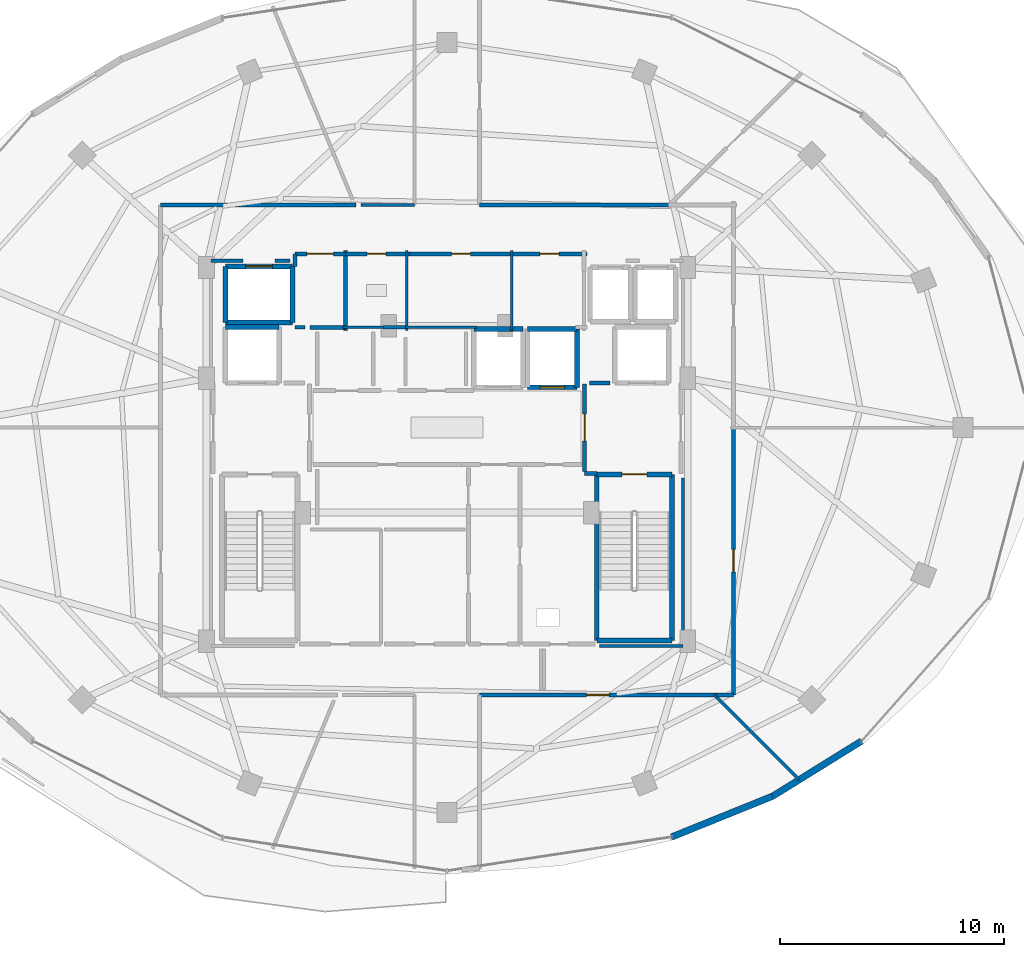
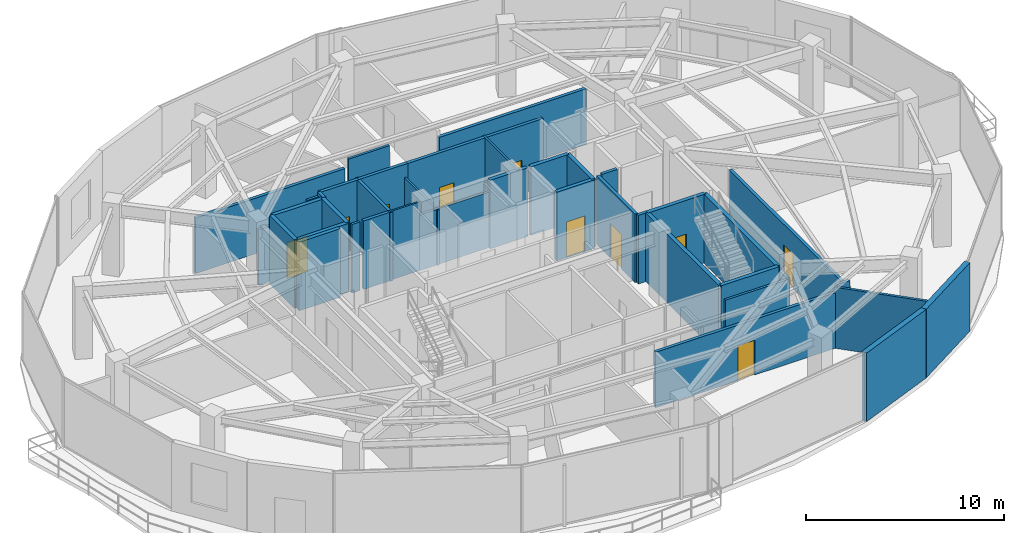
# One storey, part 22 of 27: 42 walls, 10 doors, 10 openings.
"""IFC4 building model written with IfcOpenShell, lengths in metres."""

import ifcopenshell
import ifcopenshell.guid

model = None  # the IFC model being written
_history = None  # IfcOwnerHistory: only IFC2X3 demands one
_inside = {}  # id of a spatial element -> (the spatial element, [elements in it])
_under = {}  # id of a project, library or spatial element -> (it, [spatial elements below it])
_declared = {}  # id of a project -> (the project, [libraries it declares])
_typed = {}  # id of a type object -> (the type object, [elements of that type])
_made_of = {}  # id of a material, layer set ... -> (it, [elements and type objects made of it])


def new_model(schema):
    """Start an empty IFC model of exactly this schema.

    Asked for "IFC4X3", IfcOpenShell would pick the latest addendum, in which some entities
    have other attributes; the version numbers below select the first issue.
    IFC2X3 requires an IfcOwnerHistory on every rooted entity: one is made here for all.
    """
    global model, _history
    if schema == "IFC4X3":
        model = ifcopenshell.file(schema_version=(4, 3, 0, 0))
    else:
        model = ifcopenshell.file(schema=schema)
    _inside.clear()
    _under.clear()
    _declared.clear()
    _typed.clear()
    _made_of.clear()
    _history = None
    if model.schema == "IFC2X3":
        org = make("IfcOrganization", Name="unknown")
        user = make(
            "IfcPersonAndOrganization",
            ThePerson=make("IfcPerson", FamilyName="unknown"),
            TheOrganization=org,
        )
        app = make(
            "IfcApplication",
            ApplicationDeveloper=org,
            Version="unknown",
            ApplicationFullName="unknown",
            ApplicationIdentifier="unknown",
        )
        _history = make(
            "IfcOwnerHistory",
            OwningUser=user,
            OwningApplication=app,
            ChangeAction="ADDED",
            CreationDate=0,
        )
    return model


def make(cls, **values):
    """One entity of the class cls with the attributes given. An attribute that is None is left unset."""
    return model.create_entity(
        cls, **{name: value for name, value in values.items() if value is not None}
    )


def rooted(cls, **values):
    """An entity with a GlobalId (a new one), such as an element, a storey or a relation."""
    return make(cls, GlobalId=ifcopenshell.guid.new(), OwnerHistory=_history, **values)


def si_unit(unit_type, name, prefix=None):
    """IfcSIUnit, for example si_unit("LENGTHUNIT", "METRE", prefix="MILLI")."""
    return make("IfcSIUnit", UnitType=unit_type, Prefix=prefix, Name=name)


def assignment(units):
    """IfcUnitAssignment: the units of a project."""
    return None if units is None else make("IfcUnitAssignment", Units=units)


def point(xyz):
    """IfcCartesianPoint."""
    return None if xyz is None else make("IfcCartesianPoint", Coordinates=xyz)


def direction(xyz):
    """IfcDirection."""
    return None if xyz is None else make("IfcDirection", DirectionRatios=xyz)


def frame(location, z_axis=None, x_axis=None):
    """IfcAxis2Placement3D, a coordinate frame: its origin and axes. An axis left out is left unset."""
    return make(
        "IfcAxis2Placement3D",
        Location=point(location),
        Axis=direction(z_axis),
        RefDirection=direction(x_axis),
    )


def frame_2d(location, x_axis=None):
    """IfcAxis2Placement2D, a coordinate frame in the plane: its origin and x axis."""
    return make(
        "IfcAxis2Placement2D", Location=point(location), RefDirection=direction(x_axis)
    )


def origin():
    """The frame at (0, 0, 0) with its axes left unset."""
    return frame((0.0, 0.0, 0.0))


def place(relative_to, where):
    """IfcLocalPlacement: puts the frame where relative to a parent placement (None: the world)."""
    return make(
        "IfcLocalPlacement", PlacementRelTo=relative_to, RelativePlacement=where
    )


def context(
    kind, dimensions, precision=None, world=None, true_north=None, identifier=None
):
    """IfcGeometricRepresentationContext, for example the 3D "Model" context."""
    return make(
        "IfcGeometricRepresentationContext",
        ContextIdentifier=identifier,
        ContextType=kind,
        CoordinateSpaceDimension=dimensions,
        Precision=precision,
        WorldCoordinateSystem=world,
        TrueNorth=true_north,
    )


def subcontext(parent, identifier, kind, view, scale=None):
    """IfcGeometricRepresentationSubContext, for example "Body" below "Model"."""
    return make(
        "IfcGeometricRepresentationSubContext",
        ContextIdentifier=identifier,
        ContextType=kind,
        ParentContext=parent,
        TargetScale=scale,
        TargetView=view,
    )


def project(units=None, contexts=None):
    """IfcProject with its units and contexts."""
    return rooted(
        "IfcProject",
        Name="project",
        RepresentationContexts=contexts,
        UnitsInContext=assignment(units),
    )


def spatial(cls, under=None, at=None, **own):
    """A site, building, storey or space (cls), placed at a placement, below another one or the project."""
    s = rooted(cls, ObjectPlacement=at, **own)
    if under is not None:
        _under.setdefault(under.id(), (under, []))[1].append(s)
    return s


def profile(cls, at=None, kind="AREA", **sizes):
    """A parametric profile (cls). Its sizes go by their IFC names, for example OverallWidth=200.0."""
    return make(cls, ProfileType=kind, Position=at, **sizes)


def rectangle(**sizes):
    """IfcRectangleProfileDef."""
    return profile("IfcRectangleProfileDef", **sizes)


def extrude(swept, where, along, depth):
    """IfcExtrudedAreaSolid: the profile swept, set in the frame where, extruded along a direction by depth."""
    return make(
        "IfcExtrudedAreaSolid",
        SweptArea=swept,
        Position=where,
        ExtrudedDirection=direction(along),
        Depth=depth,
    )


def shape(context_of_items, identifier, shape_type, items):
    """IfcShapeRepresentation: the items that make up one representation, for example the "Body"."""
    return make(
        "IfcShapeRepresentation",
        ContextOfItems=context_of_items,
        RepresentationIdentifier=identifier,
        RepresentationType=shape_type,
        Items=items,
    )


def material(Name=None, Category=None):
    """IfcMaterial."""
    return make("IfcMaterial", Name=Name, Category=Category)


def layer(
    of_material, thickness, ventilated=None, Name=None, Category=None, Priority=None
):
    """IfcMaterialLayer: one layer of a wall or slab, of a material (None: an air gap)."""
    return make(
        "IfcMaterialLayer",
        Material=of_material,
        LayerThickness=thickness,
        IsVentilated=ventilated,
        Name=Name,
        Category=Category,
        Priority=Priority,
    )


def layer_set(layers, Name=None):
    """IfcMaterialLayerSet."""
    return make("IfcMaterialLayerSet", MaterialLayers=layers, LayerSetName=Name)


def made_of(thing, what):
    """Note that an element or type object is made of a material, layer set ...; save() writes the relation."""
    if what is not None:
        _made_of.setdefault(what.id(), (what, []))[1].append(thing)
    return thing


def type_object(cls, material=None, **own):
    """A type object (cls), such as IfcWallType, which elements share."""
    return made_of(rooted(cls, **own), material)


def element(
    cls,
    number,
    at=None,
    inside=None,
    cuts=None,
    type_object=None,
    material=None,
    context=None,
    identifier="Body",
    shape_type=None,
    held_by="IfcProductDefinitionShape",
    body=None,
    shapes=None,
    **own,
):
    """One element of the class cls, such as IfcWall. Its Tag is "e" and its number.

    at: its placement. inside: the storey or other place that contains it. cuts: it is an
    opening in that element (IfcRelVoidsElement). A single representation is given by context,
    identifier, shape_type and body (its items); several are given by shapes. held_by: the class
    of the entity that holds the representations. save() writes the other relations.
    """
    e = rooted(cls, Tag="e%d" % number, ObjectPlacement=at, **own)
    if body is not None:
        shapes = [shape(context, identifier, shape_type, body)]
    if shapes is not None:
        e.Representation = make(held_by, Representations=shapes)
    if inside is not None:
        _inside.setdefault(inside.id(), (inside, []))[1].append(e)
    if cuts is not None:
        rooted(
            "IfcRelVoidsElement", RelatingBuildingElement=cuts, RelatedOpeningElement=e
        )
    if type_object is not None:
        _typed.setdefault(type_object.id(), (type_object, []))[1].append(e)
    return made_of(e, material)


def fill(opening, filler):
    """IfcRelFillsElement: the door or window that sits in an opening."""
    return rooted(
        "IfcRelFillsElement",
        RelatingOpeningElement=opening,
        RelatedBuildingElement=filler,
    )


def aggregate(whole, parts):
    """IfcRelAggregates: a whole, such as a stair, and the parts it consists of."""
    return rooted("IfcRelAggregates", RelatingObject=whole, RelatedObjects=parts)


def save(model, path):
    """Write the relations noted so far, then the file.

    IfcRelAggregates (storeys below a building ...), IfcRelContainedInSpatialStructure (elements
    in a storey), IfcRelDefinesByType, IfcRelAssociatesMaterial and IfcRelDeclares: one each for
    every whole, place, type object, material and project.
    """
    for whole, parts in _under.values():
        aggregate(whole, parts)
    for where, things in _inside.values():
        rooted(
            "IfcRelContainedInSpatialStructure",
            RelatedElements=things,
            RelatingStructure=where,
        )
    for kind, things in _typed.values():
        rooted("IfcRelDefinesByType", RelatedObjects=things, RelatingType=kind)
    for what, things in _made_of.values():
        rooted("IfcRelAssociatesMaterial", RelatedObjects=things, RelatingMaterial=what)
    for by, libraries in _declared.values():
        rooted("IfcRelDeclares", RelatingContext=by, RelatedDefinitions=libraries)
    model.write(path)


model = new_model("IFC4")

# Units and contexts
model_context = context("Model", 3, precision=1e-05, world=origin(), true_north=direction((0.0, 1.0)))
body_context = subcontext(model_context, "Body", "Model", "MODEL_VIEW")
ifc_project = project(units=[si_unit("LENGTHUNIT", "METRE"), si_unit("AREAUNIT", "SQUARE_METRE"), si_unit("VOLUMEUNIT", "CUBIC_METRE"), si_unit("PLANEANGLEUNIT", "RADIAN"), si_unit("MASSUNIT", "GRAM", prefix="KILO")], contexts=[model_context])

# Site, building, storey
site_placement = place(None, origin())
site = spatial("IfcSite", under=ifc_project, at=site_placement, CompositionType="ELEMENT")
building_placement = place(site_placement, origin())
building = spatial("IfcBuilding", under=site, at=building_placement, Name="Vorneva Point Tower", CompositionType="ELEMENT")
storey_placement = place(building_placement, frame((0.0, 0.0, 229.75)))
storey = spatial("IfcBuildingStorey", under=building, at=storey_placement, Name="L62", CompositionType="ELEMENT", Elevation=229.75)

# Walls
ifc_material_1 = material(Name="Concrete B60 (C50/60)", Category="concrete")
ifc_layer_1 = layer(ifc_material_1, 0.35009765625)
ifc_layer_set_1 = layer_set([ifc_layer_1], Name="Concrete B60 (C50/60)")
wall_type_1 = type_object("IfcWallType", Name="WL-CORE-350", PredefinedType="SHEAR", material=ifc_layer_set_1)
wall_1_placement = place(storey_placement, frame((30.5, 30.5, 0.0), z_axis=(0.0, 0.0, 1.0), x_axis=(-1.0, 0.0, 0.0)))
element("IfcWall", 1, at=wall_1_placement, inside=storey, type_object=wall_type_1, Name="L62 Lift FFL1 Shaft Wall +Y", PredefinedType="SHEAR", context=body_context, shape_type="SweptSolid", body=[
    extrude(rectangle(XDim=2.39990234375, YDim=0.219970703125, at=frame_2d((1.199951171875, 0.0))), origin(), (0.0, 0.0, 1.0), 4.239990234375),
])
ifc_material_2 = material(Name="Precast concrete B50 (C40/50)", Category="concrete")
ifc_layer_2 = layer(ifc_material_2, 0.300048828125)
ifc_layer_set_2 = layer_set([ifc_layer_2], Name="Precast concrete B50 (C40/50)")
wall_type_2 = type_object("IfcWallType", Name="WL-EXT-300", PredefinedType="STANDARD", material=ifc_layer_set_2)
wall_2_placement = place(storey_placement, frame((48.0263671875, 7.697998046875, 0.0), z_axis=(0.0, 0.0, 1.0), x_axis=(0.927147375511, 0.374696869594, 0.0)))
element("IfcWall", 2, at=wall_2_placement, inside=storey, type_object=wall_type_2, Name="L62 Pale-Metal Facade Spandrel Wall 14.1", PredefinedType="STANDARD", context=body_context, shape_type="SweptSolid", body=[
    extrude(rectangle(XDim=4.885498046875, YDim=0.300048828125, at=frame_2d((2.44287109375, 0.0))), origin(), (0.0, 0.0, 1.0), 4.239990234375),
])
wall_3_placement = place(storey_placement, frame((52.555908203125, 9.528564453125, 0.0), z_axis=(0.0, 0.0, 1.0), x_axis=(0.849702323036, 0.527262707032, 0.0)))
element("IfcWall", 3, at=wall_3_placement, inside=storey, type_object=wall_type_2, Name="L62 Pale-Metal Facade Spandrel Wall 14.2", PredefinedType="STANDARD", context=body_context, shape_type="SweptSolid", body=[
    extrude(rectangle(XDim=4.67236328125, YDim=0.300048828125, at=frame_2d((2.336181640625, 0.0))), origin(), (0.0, 0.0, 1.0), 4.239990234375),
])
ifc_material_3 = material(Name="Fire-rated acoustic gypsum stud partition", Category="gypsum")
ifc_layer_3 = layer(ifc_material_3, 0.110107421875)
ifc_layer_set_3 = layer_set([ifc_layer_3], Name="Fire-rated acoustic gypsum stud partition")
wall_type_3 = type_object("IfcWallType", Name="WL-PART-110", PredefinedType="PARTITIONING", material=ifc_layer_set_3)
wall_4_placement = place(storey_placement, frame((36.199951171875, 30.340087890625, 0.0), z_axis=(0.0, 0.0, 1.0), x_axis=(0.0, 1.0, 0.0)))
element("IfcWall", 4, at=wall_4_placement, inside=storey, type_object=wall_type_3, Name="L62 Interior Partition 020", PredefinedType="PARTITIONING", context=body_context, shape_type="SweptSolid", body=[
    extrude(rectangle(XDim=3.559814453125, YDim=0.110107421875, at=frame_2d((1.77978515625, 0.0))), origin(), (0.0, 0.0, 1.0), 3.431884765625),
])
wall_5_placement = place(storey_placement, frame((33.360107421875, 30.47998046875, 0.0), z_axis=(0.0, 0.0, 1.0), x_axis=(1.0, 0.0, 0.0)))
element("IfcWall", 5, at=wall_5_placement, inside=storey, type_object=wall_type_3, Name="L62 Interior Partition 021", PredefinedType="PARTITIONING", context=body_context, shape_type="SweptSolid", body=[
    extrude(rectangle(XDim=1.809814453125, YDim=0.110107421875, at=frame_2d((0.90478515625, 0.0))), origin(), (0.0, 0.0, 1.0), 4.239990234375),
])
wall_6_placement = place(storey_placement, frame((40.89990234375, 30.340087890625, 0.0), z_axis=(0.0, 0.0, 1.0), x_axis=(0.0, 1.0, 0.0)))
element("IfcWall", 6, at=wall_6_placement, inside=storey, type_object=wall_type_3, Name="L62 Interior Partition 023", PredefinedType="PARTITIONING", context=body_context, shape_type="SweptSolid", body=[
    extrude(rectangle(XDim=3.559814453125, YDim=0.110107421875, at=frame_2d((1.77978515625, 0.0))), origin(), (0.0, 0.0, 1.0), 4.239990234375),
])
wall_7_placement = place(storey_placement, frame((36.110107421875, 30.47998046875, 0.0), z_axis=(0.0, 0.0, 1.0), x_axis=(1.0, 0.0, 0.0)))
element("IfcWall", 7, at=wall_7_placement, inside=storey, type_object=wall_type_3, Name="L62 Interior Partition 024", PredefinedType="PARTITIONING", context=body_context, shape_type="SweptSolid", body=[
    extrude(rectangle(XDim=3.2099609375, YDim=0.110107421875, at=frame_2d((1.60498046875, 0.0))), origin(), (0.0, 0.0, 1.0), 3.431884765625),
])
ifc_layer_4 = layer(ifc_material_3, 0.139892578125)
ifc_layer_set_4 = layer_set([ifc_layer_4], Name="Fire-rated acoustic gypsum stud partition")
wall_type_4 = type_object("IfcWallType", Name="WL-PART-140", PredefinedType="PARTITIONING", material=ifc_layer_set_4)
wall_8_placement = place(storey_placement, frame((53.737060546875, 10.262939453125, 0.0), z_axis=(0.0, 0.0, 1.0), x_axis=(-0.707106781187, 0.707106781187, 0.0)))
element("IfcWall", 8, at=wall_8_placement, inside=storey, type_object=wall_type_4, Name="L62 Interior Partition 049", PredefinedType="PARTITIONING", context=body_context, shape_type="SweptSolid", body=[
    extrude(rectangle(XDim=5.355712890625, YDim=0.139892578125, at=frame_2d((2.677734375, 0.0))), origin(), (0.0, 0.0, 1.0), 3.77392578125),
])
wall_9_placement = place(storey_placement, frame((31.199951171875, 30.47998046875, 0.0), z_axis=(0.0, 0.0, 1.0), x_axis=(1.0, 0.0, 0.0)))
element("IfcWall", 9, at=wall_9_placement, inside=storey, type_object=wall_type_4, Name="L62 Interior Closure Partition 053", PredefinedType="PARTITIONING", context=body_context, shape_type="SweptSolid", body=[
    extrude(rectangle(XDim=0.449951171875, YDim=0.139892578125, at=frame_2d((0.22509765625, 0.0))), origin(), (0.0, 0.0, 1.0), 4.239990234375),
])
wall_10_placement = place(storey_placement, frame((35.139892578125, 30.47998046875, 0.0), z_axis=(0.0, 0.0, 1.0), x_axis=(1.0, 0.0, 0.0)))
element("IfcWall", 10, at=wall_10_placement, inside=storey, type_object=wall_type_4, Name="L62 Interior Closure Partition 054", PredefinedType="PARTITIONING", context=body_context, shape_type="SweptSolid", body=[
    extrude(rectangle(XDim=1.0, YDim=0.139892578125, at=frame_2d((0.5, 0.0))), origin(), (0.0, 0.0, 1.0), 3.431884765625),
])
wall_11_placement = place(storey_placement, frame((36.550048828125, 35.949951171875, 0.0), z_axis=(0.0, 0.0, 1.0), x_axis=(-1.0, 0.0, 0.0)))
element("IfcWall", 11, at=wall_11_placement, inside=storey, type_object=wall_type_4, Name="L62 Interior Closure Partition 063", PredefinedType="PARTITIONING", context=body_context, shape_type="SweptSolid", body=[
    extrude(rectangle(XDim=2.39111328125, YDim=0.139892578125, at=frame_2d((1.195556640625, 0.0))), origin(), (0.0, 0.0, 1.0), 3.928955078125),
])
wall_12_placement = place(storey_placement, frame((44.804931640625, 16.239990234375, 0.0), z_axis=(0.0, 0.0, 1.0), x_axis=(1.0, 0.0, 0.0)))
element("IfcWall", 12, at=wall_12_placement, inside=storey, type_object=wall_type_4, Name="L62 Interior Closure Partition 067", PredefinedType="PARTITIONING", context=body_context, shape_type="SweptSolid", body=[
    extrude(rectangle(XDim=3.7451171875, YDim=0.139892578125, at=frame_2d((1.87255859375, 0.0))), origin(), (0.0, 0.0, 1.0), 3.431884765625),
])
wall_13_placement = place(storey_placement, frame((48.550048828125, 16.239990234375, 0.0), z_axis=(0.0, 0.0, 1.0), x_axis=(0.0, 1.0, 0.0)))
element("IfcWall", 13, at=wall_13_placement, inside=storey, type_object=wall_type_4, Name="L62 Interior Closure Partition 068", PredefinedType="PARTITIONING", context=body_context, shape_type="SweptSolid", body=[
    extrude(rectangle(XDim=7.513916015625, YDim=0.139892578125, at=frame_2d((3.7568359375, 0.0))), origin(), (0.0, 0.0, 1.0), 3.431884765625),
])
wall_14_placement = place(storey_placement, frame((30.97998046875, 33.449951171875, 0.0), z_axis=(0.0, 0.0, 1.0), x_axis=(-1.0, 0.0, 0.0)))
element("IfcWall", 14, at=wall_14_placement, inside=storey, type_object=wall_type_4, Name="L62 Interior Closure Partition 072", PredefinedType="PARTITIONING", context=body_context, shape_type="SweptSolid", body=[
    extrude(rectangle(XDim=0.674072265625, YDim=0.139892578125, at=frame_2d((0.3369140625, 0.0))), origin(), (0.0, 0.0, 1.0), 4.239990234375),
])
wall_15_placement = place(storey_placement, frame((28.89404296875, 33.449951171875, 0.0), z_axis=(0.0, 0.0, 1.0), x_axis=(-1.0, 0.0, 0.0)))
element("IfcWall", 15, at=wall_15_placement, inside=storey, type_object=wall_type_4, Name="L62 Interior Closure Partition 073", PredefinedType="PARTITIONING", context=body_context, shape_type="SweptSolid", body=[
    extrude(rectangle(XDim=1.444091796875, YDim=0.139892578125, at=frame_2d((0.72216796875, 0.0))), origin(), (0.0, 0.0, 1.0), 3.431884765625),
])

# Wall, opening, door
ifc_material_4 = material(Name="Autoclaved aerated concrete blockwork", Category="masonry")
ifc_layer_5 = layer(ifc_material_4, 0.179931640625)
ifc_layer_set_5 = layer_set([ifc_layer_5], Name="Autoclaved aerated concrete blockwork")
wall_type_5 = type_object("IfcWallType", Name="WL-PART-180", PredefinedType="PARTITIONING", material=ifc_layer_set_5)
wall_16_placement = place(storey_placement, frame((44.14990234375, 27.955078125, 0.0), z_axis=(0.0, 0.0, 1.0), x_axis=(0.0, -1.0, 0.0)))
wall_16 = element("IfcWall", 16, at=wall_16_placement, inside=storey, type_object=wall_type_5, Name="L62 Interior Partition 003", PredefinedType="PARTITIONING", context=body_context, shape_type="SweptSolid", body=[
    extrude(rectangle(XDim=3.91015625, YDim=0.179931640625, at=frame_2d((1.955078125, 0.0))), origin(), (0.0, 0.0, 1.0), 4.239990234375),
])
opening_1_placement = place(wall_16_placement, frame((1.35498046875, 0.0, 0.0)))
opening_1 = element("IfcOpeningElement", 17, at=opening_1_placement, cuts=wall_16, Name="Opening FD-02", PredefinedType="OPENING", context=body_context, shape_type="SweptSolid", body=[
    extrude(rectangle(XDim=1.199951171875, YDim=2.14990234375, at=frame_2d((0.60009765625, 1.074951171875))), frame((0.0, 0.10498046875, 0.0), z_axis=(0.0, -1.0, 0.0), x_axis=(1.0, 0.0, 0.0)), (0.0, 0.0, 1.0), 0.209716796875),
])
ifc_material_5 = material(Name="Fire-rated powder-coated steel", Category="steel")
door_type_1 = type_object("IfcDoorType", Name="DR-FFL-1200", OperationType="NOTDEFINED", PredefinedType="DOOR", material=ifc_material_5)
door_1_placement = place(opening_1_placement, origin())
door_1 = element("IfcDoor", 18, at=door_1_placement, inside=storey, type_object=door_type_1, Name="L62 Door East Firefighting Lobby / Central Lift Lobby", OperationType="SINGLE_SWING_RIGHT", OverallHeight=2.14990234375, OverallWidth=1.199951171875, PredefinedType="DOOR", context=body_context, shape_type="SweptSolid", body=[
    extrude(rectangle(XDim=1.199951171875, YDim=2.14990234375, at=frame_2d((0.60009765625, 1.074951171875))), frame((0.0, 0.02490234375, 0.0), z_axis=(0.0, -1.0, 0.0), x_axis=(1.0, 0.0, 0.0)), (0.0, 0.0, 1.0), 0.050048828125),
])
fill(opening_1, door_1)

# Walls
wall_17_placement = place(storey_placement, frame((44.14990234375, 23.949951171875, 0.0), z_axis=(0.0, 0.0, 1.0), x_axis=(1.0, 0.0, 0.0)))
element("IfcWall", 19, at=wall_17_placement, inside=storey, type_object=wall_type_5, Name="L62 Interior Partition 004", PredefinedType="PARTITIONING", context=body_context, shape_type="SweptSolid", body=[
    extrude(rectangle(XDim=0.5400390625, YDim=0.179931640625, at=frame_2d((0.27001953125, 0.0))), origin(), (0.0, 0.0, 1.0), 4.239990234375),
])
wall_18_placement = place(storey_placement, frame((33.469970703125, 30.340087890625, 0.0), z_axis=(0.0, 0.0, 1.0), x_axis=(0.0, 1.0, 0.0)))
element("IfcWall", 20, at=wall_18_placement, inside=storey, type_object=wall_type_5, Name="L62 Interior Partition 006", PredefinedType="PARTITIONING", context=body_context, shape_type="SweptSolid", body=[
    extrude(rectangle(XDim=3.559814453125, YDim=0.179931640625, at=frame_2d((1.77978515625, 0.0))), origin(), (0.0, 0.0, 1.0), 4.239990234375),
])
wall_19_placement = place(storey_placement, frame((31.8701171875, 30.47998046875, 0.0), z_axis=(0.0, 0.0, 1.0), x_axis=(1.0, 0.0, 0.0)))
element("IfcWall", 21, at=wall_19_placement, inside=storey, type_object=wall_type_5, Name="L62 Interior Partition 007", PredefinedType="PARTITIONING", context=body_context, shape_type="SweptSolid", body=[
    extrude(rectangle(XDim=1.599853515625, YDim=0.179931640625, at=frame_2d((0.7998046875, 0.0))), origin(), (0.0, 0.0, 1.0), 4.239990234375),
])

# Wall, opening, door
wall_20_placement = place(storey_placement, frame((33.469970703125, 33.760009765625, 0.0), z_axis=(0.0, 0.0, 1.0), x_axis=(-1.0, 0.0, 0.0)))
wall_20 = element("IfcWall", 22, at=wall_20_placement, inside=storey, type_object=wall_type_5, Name="L62 Interior Partition 008", PredefinedType="PARTITIONING", context=body_context, shape_type="SweptSolid", body=[
    extrude(rectangle(XDim=2.27001953125, YDim=0.179931640625, at=frame_2d((1.135009765625, 0.0))), origin(), (0.0, 0.0, 1.0), 4.239990234375),
])
opening_2_placement = place(wall_20_placement, frame((0.534912109375, 0.0, 0.0)))
opening_2 = element("IfcOpeningElement", 23, at=opening_2_placement, cuts=wall_20, Name="Opening FD-02", PredefinedType="OPENING", context=body_context, shape_type="SweptSolid", body=[
    extrude(rectangle(XDim=1.199951171875, YDim=2.14990234375, at=frame_2d((0.60009765625, 1.074951171875))), frame((0.0, 0.10498046875, 0.0), z_axis=(0.0, -1.0, 0.0), x_axis=(1.0, 0.0, 0.0)), (0.0, 0.0, 1.0), 0.209716796875),
])
door_2_placement = place(opening_2_placement, origin())
door_2 = element("IfcDoor", 24, at=door_2_placement, inside=storey, type_object=door_type_1, Name="L62 Door Service Lift Lobby / L62 Circulation Corridor", OperationType="SINGLE_SWING_RIGHT", OverallHeight=2.14990234375, OverallWidth=1.199951171875, PredefinedType="DOOR", context=body_context, shape_type="SweptSolid", body=[
    extrude(rectangle(XDim=1.199951171875, YDim=2.14990234375, at=frame_2d((0.60009765625, 1.074951171875))), frame((0.0, 0.02490234375, 0.0), z_axis=(0.0, -1.0, 0.0), x_axis=(1.0, 0.0, 0.0)), (0.0, 0.0, 1.0), 0.050048828125),
])
fill(opening_2, door_2)

# Wall
wall_21_placement = place(storey_placement, frame((31.199951171875, 33.760009765625, 0.0), z_axis=(0.0, 0.0, 1.0), x_axis=(0.0, -1.0, 0.0)))
element("IfcWall", 25, at=wall_21_placement, inside=storey, type_object=wall_type_5, Name="L62 Interior Partition 009", PredefinedType="PARTITIONING", context=body_context, shape_type="SweptSolid", body=[
    extrude(rectangle(XDim=0.56005859375, YDim=0.179931640625, at=frame_2d((0.280029296875, 0.0))), origin(), (0.0, 0.0, 1.0), 4.239990234375),
])

# Wall, opening, door
wall_22_placement = place(storey_placement, frame((36.340087890625, 33.760009765625, 0.0), z_axis=(0.0, 0.0, 1.0), x_axis=(-1.0, 0.0, 0.0)))
wall_22 = element("IfcWall", 26, at=wall_22_placement, inside=storey, type_object=wall_type_5, Name="L62 Interior Partition 022", PredefinedType="PARTITIONING", context=body_context, shape_type="SweptSolid", body=[
    extrude(rectangle(XDim=2.97998046875, YDim=0.179931640625, at=frame_2d((1.489990234375, 0.0))), origin(), (0.0, 0.0, 1.0), 4.239990234375),
])
opening_3_placement = place(wall_22_placement, frame((1.06494140625, 0.0, 0.0)))
opening_3 = element("IfcOpeningElement", 27, at=opening_3_placement, cuts=wall_22, Name="Opening ID-02", PredefinedType="OPENING", context=body_context, shape_type="SweptSolid", body=[
    extrude(rectangle(XDim=0.85009765625, YDim=2.10009765625, at=frame_2d((0.425048828125, 1.050048828125))), frame((0.0, 0.10498046875, 0.0), z_axis=(0.0, -1.0, 0.0), x_axis=(1.0, 0.0, 0.0)), (0.0, 0.0, 1.0), 0.209716796875),
])
ifc_material_6 = material(Name="Engineered oak fire-rated door leaf", Category="wood")
door_type_2 = type_object("IfcDoorType", Name="DR-BATH-850", OperationType="NOTDEFINED", PredefinedType="DOOR", material=ifc_material_6)
door_3_placement = place(opening_3_placement, origin())
door_3 = element("IfcDoor", 28, at=door_3_placement, inside=storey, type_object=door_type_2, Name="L62 Door Public Male WC / L62 Circulation Corridor", OperationType="SINGLE_SWING_LEFT", OverallHeight=2.10009765625, OverallWidth=0.85009765625, PredefinedType="DOOR", context=body_context, shape_type="SweptSolid", body=[
    extrude(rectangle(XDim=0.85009765625, YDim=2.10009765625, at=frame_2d((0.425048828125, 1.050048828125))), frame((0.0, 0.02490234375, 0.0), z_axis=(0.0, -1.0, 0.0), x_axis=(1.0, 0.0, 0.0)), (0.0, 0.0, 1.0), 0.050048828125),
])
fill(opening_3, door_3)

wall_23_placement = place(storey_placement, frame((41.0400390625, 33.760009765625, 0.0), z_axis=(0.0, 0.0, 1.0), x_axis=(-1.0, 0.0, 0.0)))
wall_23 = element("IfcWall", 29, at=wall_23_placement, inside=storey, type_object=wall_type_5, Name="L62 Interior Partition 025", PredefinedType="PARTITIONING", context=body_context, shape_type="SweptSolid", body=[
    extrude(rectangle(XDim=4.840087890625, YDim=0.179931640625, at=frame_2d((2.419921875, 0.0))), origin(), (0.0, 0.0, 1.0), 4.239990234375),
])
opening_4_placement = place(wall_23_placement, frame((1.9951171875, 0.0, 0.0)))
opening_4 = element("IfcOpeningElement", 30, at=opening_4_placement, cuts=wall_23, Name="Opening ID-02", PredefinedType="OPENING", context=body_context, shape_type="SweptSolid", body=[
    extrude(rectangle(XDim=0.85009765625, YDim=2.10009765625, at=frame_2d((0.425048828125, 1.050048828125))), frame((0.0, 0.10498046875, 0.0), z_axis=(0.0, -1.0, 0.0), x_axis=(1.0, 0.0, 0.0)), (0.0, 0.0, 1.0), 0.209716796875),
])
door_4_placement = place(opening_4_placement, origin())
door_4 = element("IfcDoor", 31, at=door_4_placement, inside=storey, type_object=door_type_2, Name="L62 Door Public Female WC / L62 Circulation Corridor", OperationType="SINGLE_SWING_RIGHT", OverallHeight=2.10009765625, OverallWidth=0.85009765625, PredefinedType="DOOR", context=body_context, shape_type="SweptSolid", body=[
    extrude(rectangle(XDim=0.85009765625, YDim=2.10009765625, at=frame_2d((0.425048828125, 1.050048828125))), frame((0.0, 0.02490234375, 0.0), z_axis=(0.0, -1.0, 0.0), x_axis=(1.0, 0.0, 0.0)), (0.0, 0.0, 1.0), 0.050048828125),
])
fill(opening_4, door_4)

wall_24_placement = place(storey_placement, frame((44.260009765625, 33.760009765625, 0.0), z_axis=(0.0, 0.0, 1.0), x_axis=(-1.0, 0.0, 0.0)))
wall_24 = element("IfcWall", 32, at=wall_24_placement, inside=storey, type_object=wall_type_5, Name="L62 Interior Partition 026", PredefinedType="PARTITIONING", context=body_context, shape_type="SweptSolid", body=[
    extrude(rectangle(XDim=3.360107421875, YDim=0.179931640625, at=frame_2d((1.68017578125, 0.0))), origin(), (0.0, 0.0, 1.0), 4.239990234375),
])
opening_5_placement = place(wall_24_placement, frame((1.2548828125, 0.0, 0.0)))
opening_5 = element("IfcOpeningElement", 33, at=opening_5_placement, cuts=wall_24, Name="Opening ID-02", PredefinedType="OPENING", context=body_context, shape_type="SweptSolid", body=[
    extrude(rectangle(XDim=0.85009765625, YDim=2.10009765625, at=frame_2d((0.425048828125, 1.050048828125))), frame((0.0, 0.10498046875, 0.0), z_axis=(0.0, -1.0, 0.0), x_axis=(1.0, 0.0, 0.0)), (0.0, 0.0, 1.0), 0.209716796875),
])
door_5_placement = place(opening_5_placement, origin())
door_5 = element("IfcDoor", 34, at=door_5_placement, inside=storey, type_object=door_type_2, Name="L62 Door Accessible WC / L62 Circulation Corridor", OperationType="SINGLE_SWING_LEFT", OverallHeight=2.10009765625, OverallWidth=0.85009765625, PredefinedType="DOOR", context=body_context, shape_type="SweptSolid", body=[
    extrude(rectangle(XDim=0.85009765625, YDim=2.10009765625, at=frame_2d((0.425048828125, 1.050048828125))), frame((0.0, 0.02490234375, 0.0), z_axis=(0.0, -1.0, 0.0), x_axis=(1.0, 0.0, 0.0)), (0.0, 0.0, 1.0), 0.050048828125),
])
fill(opening_5, door_5)

# Walls
wall_25_placement = place(storey_placement, frame((48.034912109375, 35.949951171875, 0.0), z_axis=(0.0, 0.0, 1.0), x_axis=(-1.0, 0.0, 0.0)))
element("IfcWall", 35, at=wall_25_placement, inside=storey, type_object=wall_type_5, Name="L62 Interior Partition 034", PredefinedType="PARTITIONING", context=body_context, shape_type="SweptSolid", body=[
    extrude(rectangle(XDim=8.5849609375, YDim=0.179931640625, at=frame_2d((4.29248046875, 0.0))), origin(), (0.0, 0.0, 1.0), 3.431884765625),
])
wall_26_placement = place(storey_placement, frame((33.93896484375, 35.949951171875, 0.0), z_axis=(0.0, 0.0, 1.0), x_axis=(-1.0, 0.0, 0.0)))
element("IfcWall", 36, at=wall_26_placement, inside=storey, type_object=wall_type_5, Name="L62 Interior Partition 036", PredefinedType="PARTITIONING", context=body_context, shape_type="SweptSolid", body=[
    extrude(rectangle(XDim=8.739013671875, YDim=0.179931640625, at=frame_2d((4.36962890625, 0.0))), origin(), (0.0, 0.0, 1.0), 3.431884765625),
])

# Wall, opening, door
wall_27_placement = place(storey_placement, frame((39.449951171875, 14.050048828125, 0.0), z_axis=(0.0, 0.0, 1.0), x_axis=(1.0, 0.0, 0.0)))
wall_27 = element("IfcWall", 37, at=wall_27_placement, inside=storey, type_object=wall_type_5, Name="L62 Interior Partition 042", PredefinedType="PARTITIONING", context=body_context, shape_type="SweptSolid", body=[
    extrude(rectangle(XDim=10.5849609375, YDim=0.179931640625, at=frame_2d((5.29248046875, 0.0))), origin(), (0.0, 0.0, 1.0), 3.431884765625),
])
opening_6_placement = place(wall_27_placement, frame((4.79248046875, 0.0, 0.0)))
opening_6 = element("IfcOpeningElement", 38, at=opening_6_placement, cuts=wall_27, Name="Opening UD-01", PredefinedType="OPENING", context=body_context, shape_type="SweptSolid", body=[
    extrude(rectangle(XDim=1.0, YDim=2.14990234375, at=frame_2d((0.5, 1.074951171875))), frame((0.0, 0.10498046875, 0.0), z_axis=(0.0, -1.0, 0.0), x_axis=(1.0, 0.0, 0.0)), (0.0, 0.0, 1.0), 0.209716796875),
])
door_type_3 = type_object("IfcDoorType", Name="DR-UNIT-1000", OperationType="NOTDEFINED", PredefinedType="DOOR", material=ifc_material_6)
door_6_placement = place(opening_6_placement, origin())
door_6 = element("IfcDoor", 39, at=door_6_placement, inside=storey, type_object=door_type_3, Name="L62 Door L62 Circulation Corridor / Residents Co-Working Library L62", OperationType="SINGLE_SWING_LEFT", OverallHeight=2.14990234375, OverallWidth=1.0, PredefinedType="DOOR", context=body_context, shape_type="SweptSolid", body=[
    extrude(rectangle(XDim=1.0, YDim=2.14990234375, at=frame_2d((0.5, 1.074951171875))), frame((0.0, 0.02490234375, 0.0), z_axis=(0.0, -1.0, 0.0), x_axis=(1.0, 0.0, 0.0)), (0.0, 0.0, 1.0), 0.050048828125),
])
fill(opening_6, door_6)

# Wall
wall_28_placement = place(storey_placement, frame((50.034912109375, 14.050048828125, 0.0), z_axis=(0.0, 0.0, 1.0), x_axis=(1.0, 0.0, 0.0)))
element("IfcWall", 40, at=wall_28_placement, inside=storey, type_object=wall_type_5, Name="L62 Interior Partition 043", PredefinedType="PARTITIONING", context=body_context, shape_type="SweptSolid", body=[
    extrude(rectangle(XDim=0.76513671875, YDim=0.179931640625, at=frame_2d((0.382568359375, 0.0))), origin(), (0.0, 0.0, 1.0), 3.885986328125),
])

# Wall, opening, door
wall_29_placement = place(storey_placement, frame((50.800048828125, 14.050048828125, 0.0), z_axis=(0.0, 0.0, 1.0), x_axis=(0.0, 1.0, 0.0)))
wall_29 = element("IfcWall", 41, at=wall_29_placement, inside=storey, type_object=wall_type_5, Name="L62 Interior Partition 044", PredefinedType="PARTITIONING", context=body_context, shape_type="SweptSolid", body=[
    extrude(rectangle(XDim=12.010009765625, YDim=0.179931640625, at=frame_2d((6.0048828125, 0.0))), origin(), (0.0, 0.0, 1.0), 3.431884765625),
])
opening_7_placement = place(wall_29_placement, frame((5.5048828125, 0.0, 0.0)))
opening_7 = element("IfcOpeningElement", 42, at=opening_7_placement, cuts=wall_29, Name="Opening UD-01", PredefinedType="OPENING", context=body_context, shape_type="SweptSolid", body=[
    extrude(rectangle(XDim=1.0, YDim=2.14990234375, at=frame_2d((0.5, 1.074951171875))), frame((0.0, 0.10498046875, 0.0), z_axis=(0.0, -1.0, 0.0), x_axis=(1.0, 0.0, 0.0)), (0.0, 0.0, 1.0), 0.209716796875),
])
door_7_placement = place(opening_7_placement, origin())
door_7 = element("IfcDoor", 43, at=door_7_placement, inside=storey, type_object=door_type_3, Name="L62 Door L62 Circulation Corridor / Sky Bar and Dining Room L62", OperationType="SINGLE_SWING_RIGHT", OverallHeight=2.14990234375, OverallWidth=1.0, PredefinedType="DOOR", context=body_context, shape_type="SweptSolid", body=[
    extrude(rectangle(XDim=1.0, YDim=2.14990234375, at=frame_2d((0.5, 1.074951171875))), frame((0.0, 0.02490234375, 0.0), z_axis=(0.0, -1.0, 0.0), x_axis=(1.0, 0.0, 0.0)), (0.0, 0.0, 1.0), 0.050048828125),
])
fill(opening_7, door_7)

# Wall
wall_30_placement = place(storey_placement, frame((45.280029296875, 28.0, 0.0), z_axis=(0.0, 0.0, 1.0), x_axis=(-1.0, 0.0, 0.0)))
element("IfcWall", 44, at=wall_30_placement, inside=storey, type_object=wall_type_5, Name="L62 Interior Closure Partition 052", PredefinedType="PARTITIONING", context=body_context, shape_type="SweptSolid", body=[
    extrude(rectangle(XDim=0.9150390625, YDim=0.179931640625, at=frame_2d((0.45751953125, 0.0))), origin(), (0.0, 0.0, 1.0), 4.239990234375),
])

# Wall, opening, door
ifc_material_7 = material(Name="Concrete B50 (C40/50)", Category="concrete")
ifc_layer_6 = layer(ifc_material_7, 0.219970703125)
ifc_layer_set_6 = layer_set([ifc_layer_6], Name="Concrete B50 (C40/50)")
wall_type_6 = type_object("IfcWallType", Name="WL-SHFT-220", PredefinedType="SOLIDWALL", material=ifc_layer_set_6)
wall_31_placement = place(storey_placement, frame((44.68994140625, 23.909912109375, 0.0), z_axis=(0.0, 0.0, 1.0), x_axis=(1.0, 0.0, 0.0)))
wall_31 = element("IfcWall", 45, at=wall_31_placement, inside=storey, type_object=wall_type_6, Name="L62 Exit Stair ST2 Shaft Wall near", PredefinedType="SOLIDWALL", context=body_context, shape_type="SweptSolid", body=[
    extrude(rectangle(XDim=3.3701171875, YDim=0.219970703125, at=frame_2d((1.68505859375, 0.0))), origin(), (0.0, 0.0, 1.0), 4.239990234375),
])
opening_8_placement = place(wall_31_placement, frame((1.135009765625, 0.0, 0.0)))
opening_8 = element("IfcOpeningElement", 46, at=opening_8_placement, cuts=wall_31, Name="Opening FD-01", PredefinedType="OPENING", context=body_context, shape_type="SweptSolid", body=[
    extrude(rectangle(XDim=1.10009765625, YDim=2.14990234375, at=frame_2d((0.550048828125, 1.074951171875))), frame((0.0, 0.125, 0.0), z_axis=(0.0, -1.0, 0.0), x_axis=(1.0, 0.0, 0.0)), (0.0, 0.0, 1.0), 0.249755859375),
])
door_type_4 = type_object("IfcDoorType", Name="DR-STAIR-1100", OperationType="NOTDEFINED", PredefinedType="DOOR", material=ifc_material_5)
door_8_placement = place(opening_8_placement, origin())
door_8 = element("IfcDoor", 47, at=door_8_placement, inside=storey, type_object=door_type_4, Name="L62 Exit Stair ST2 Fire Door", OperationType="SINGLE_SWING_LEFT", OverallHeight=2.14990234375, OverallWidth=1.10009765625, PredefinedType="DOOR", context=body_context, shape_type="SweptSolid", body=[
    extrude(rectangle(XDim=1.10009765625, YDim=2.14990234375, at=frame_2d((0.550048828125, 1.074951171875))), frame((0.0, 0.02490234375, 0.0), z_axis=(0.0, -1.0, 0.0), x_axis=(1.0, 0.0, 0.0)), (0.0, 0.0, 1.0), 0.050048828125),
])
fill(opening_8, door_8)

# Walls
wall_32_placement = place(storey_placement, frame((48.06005859375, 23.909912109375, 0.0), z_axis=(0.0, 0.0, 1.0), x_axis=(0.0, -1.0, 0.0)))
element("IfcWall", 48, at=wall_32_placement, inside=storey, type_object=wall_type_6, Name="L62 Exit Stair ST2 Shaft Wall right", PredefinedType="SOLIDWALL", context=body_context, shape_type="SweptSolid", body=[
    extrude(rectangle(XDim=7.419921875, YDim=0.219970703125, at=frame_2d((3.7099609375, 0.0))), origin(), (0.0, 0.0, 1.0), 4.239990234375),
])
wall_33_placement = place(storey_placement, frame((48.06005859375, 16.489990234375, 0.0), z_axis=(0.0, 0.0, 1.0), x_axis=(-1.0, 0.0, 0.0)))
element("IfcWall", 49, at=wall_33_placement, inside=storey, type_object=wall_type_6, Name="L62 Exit Stair ST2 Shaft Wall far", PredefinedType="SOLIDWALL", context=body_context, shape_type="SweptSolid", body=[
    extrude(rectangle(XDim=3.3701171875, YDim=0.219970703125, at=frame_2d((1.68505859375, 0.0))), origin(), (0.0, 0.0, 1.0), 4.239990234375),
])
wall_34_placement = place(storey_placement, frame((44.68994140625, 16.489990234375, 0.0), z_axis=(0.0, 0.0, 1.0), x_axis=(0.0, 1.0, 0.0)))
element("IfcWall", 50, at=wall_34_placement, inside=storey, type_object=wall_type_6, Name="L62 Exit Stair ST2 Shaft Wall left", PredefinedType="SOLIDWALL", context=body_context, shape_type="SweptSolid", body=[
    extrude(rectangle(XDim=7.419921875, YDim=0.219970703125, at=frame_2d((3.7099609375, 0.0))), origin(), (0.0, 0.0, 1.0), 4.239990234375),
])
wall_35_placement = place(storey_placement, frame((41.39990234375, 30.39990234375, 0.0), z_axis=(0.0, 0.0, 1.0), x_axis=(-1.0, 0.0, 0.0)))
element("IfcWall", 51, at=wall_35_placement, inside=storey, type_object=wall_type_6, Name="L62 Lift PL7 Shaft Wall +Y", PredefinedType="SOLIDWALL", context=body_context, shape_type="SweptSolid", body=[
    extrude(rectangle(XDim=2.199951171875, YDim=0.219970703125, at=frame_2d((1.10009765625, 0.0))), origin(), (0.0, 0.0, 1.0), 4.239990234375),
])

# Wall, opening, door
wall_36_placement = place(storey_placement, frame((41.60009765625, 27.800048828125, 0.0), z_axis=(0.0, 0.0, 1.0), x_axis=(1.0, 0.0, 0.0)))
wall_36 = element("IfcWall", 52, at=wall_36_placement, inside=storey, type_object=wall_type_6, Name="L62 Lift PL8 Shaft Wall -Y", PredefinedType="SOLIDWALL", context=body_context, shape_type="SweptSolid", body=[
    extrude(rectangle(XDim=2.199951171875, YDim=0.219970703125, at=frame_2d((1.10009765625, 0.0))), origin(), (0.0, 0.0, 1.0), 4.239990234375),
])
opening_9_placement = place(wall_36_placement, frame((0.550048828125, 0.0, 0.0)))
opening_9 = element("IfcOpeningElement", 53, at=opening_9_placement, cuts=wall_36, Name="Opening LD-01", PredefinedType="OPENING", context=body_context, shape_type="SweptSolid", body=[
    extrude(rectangle(XDim=1.10009765625, YDim=2.199951171875, at=frame_2d((0.550048828125, 1.10009765625))), frame((0.0, 0.125, 0.0), z_axis=(0.0, -1.0, 0.0), x_axis=(1.0, 0.0, 0.0)), (0.0, 0.0, 1.0), 0.249755859375),
])
ifc_material_8 = material(Name="Brushed stainless steel S304", Category="steel")
door_type_5 = type_object("IfcDoorType", Name="LD-PASS-1100", OperationType="SLIDING_TO_LEFT", PredefinedType="DOOR", material=ifc_material_8)
door_9_placement = place(opening_9_placement, origin())
door_9 = element("IfcDoor", 54, at=door_9_placement, inside=storey, type_object=door_type_5, Name="L62 Lift PL8 Sliding Landing Door", OperationType="SLIDING_TO_LEFT", OverallHeight=2.199951171875, OverallWidth=1.10009765625, PredefinedType="DOOR", context=body_context, shape_type="SweptSolid", body=[
    extrude(rectangle(XDim=1.10009765625, YDim=2.199951171875, at=frame_2d((0.550048828125, 1.10009765625))), frame((0.0, 0.02490234375, 0.0), z_axis=(0.0, -1.0, 0.0), x_axis=(1.0, 0.0, 0.0)), (0.0, 0.0, 1.0), 0.050048828125),
])
fill(opening_9, door_9)

# Walls
wall_37_placement = place(storey_placement, frame((43.800048828125, 27.800048828125, 0.0), z_axis=(0.0, 0.0, 1.0), x_axis=(0.0, 1.0, 0.0)))
element("IfcWall", 55, at=wall_37_placement, inside=storey, type_object=wall_type_6, Name="L62 Lift PL8 Shaft Wall +X", PredefinedType="SOLIDWALL", context=body_context, shape_type="SweptSolid", body=[
    extrude(rectangle(XDim=2.599853515625, YDim=0.219970703125, at=frame_2d((1.2998046875, 0.0))), origin(), (0.0, 0.0, 1.0), 4.239990234375),
])
wall_38_placement = place(storey_placement, frame((43.800048828125, 30.39990234375, 0.0), z_axis=(0.0, 0.0, 1.0), x_axis=(-1.0, 0.0, 0.0)))
element("IfcWall", 56, at=wall_38_placement, inside=storey, type_object=wall_type_6, Name="L62 Lift PL8 Shaft Wall +Y", PredefinedType="SOLIDWALL", context=body_context, shape_type="SweptSolid", body=[
    extrude(rectangle(XDim=2.199951171875, YDim=0.219970703125, at=frame_2d((1.10009765625, 0.0))), origin(), (0.0, 0.0, 1.0), 4.239990234375),
])
wall_39_placement = place(storey_placement, frame((28.10009765625, 30.699951171875, 0.0), z_axis=(0.0, 0.0, 1.0), x_axis=(1.0, 0.0, 0.0)))
element("IfcWall", 57, at=wall_39_placement, inside=storey, type_object=wall_type_6, Name="L62 Lift SVL1 Shaft Wall -Y", PredefinedType="SOLIDWALL", context=body_context, shape_type="SweptSolid", body=[
    extrude(rectangle(XDim=3.0, YDim=0.219970703125, at=frame_2d((1.5, 0.0))), origin(), (0.0, 0.0, 1.0), 4.239990234375),
])
wall_40_placement = place(storey_placement, frame((31.10009765625, 30.699951171875, 0.0), z_axis=(0.0, 0.0, 1.0), x_axis=(0.0, 1.0, 0.0)))
element("IfcWall", 58, at=wall_40_placement, inside=storey, type_object=wall_type_6, Name="L62 Lift SVL1 Shaft Wall +X", PredefinedType="SOLIDWALL", context=body_context, shape_type="SweptSolid", body=[
    extrude(rectangle(XDim=2.5, YDim=0.219970703125, at=frame_2d((1.25, 0.0))), origin(), (0.0, 0.0, 1.0), 4.239990234375),
])

# Wall, opening, door
wall_41_placement = place(storey_placement, frame((31.10009765625, 33.199951171875, 0.0), z_axis=(0.0, 0.0, 1.0), x_axis=(-1.0, 0.0, 0.0)))
wall_41 = element("IfcWall", 59, at=wall_41_placement, inside=storey, type_object=wall_type_6, Name="L62 Lift SVL1 Shaft Wall +Y", PredefinedType="SOLIDWALL", context=body_context, shape_type="SweptSolid", body=[
    extrude(rectangle(XDim=3.0, YDim=0.219970703125, at=frame_2d((1.5, 0.0))), origin(), (0.0, 0.0, 1.0), 4.239990234375),
])
opening_10_placement = place(wall_41_placement, frame((0.89990234375, 0.0, 0.0)))
opening_10 = element("IfcOpeningElement", 60, at=opening_10_placement, cuts=wall_41, Name="Opening LD-02", PredefinedType="OPENING", context=body_context, shape_type="SweptSolid", body=[
    extrude(rectangle(XDim=1.199951171875, YDim=2.199951171875, at=frame_2d((0.60009765625, 1.10009765625))), frame((0.0, 0.125, 0.0), z_axis=(0.0, -1.0, 0.0), x_axis=(1.0, 0.0, 0.0)), (0.0, 0.0, 1.0), 0.249755859375),
])
door_type_6 = type_object("IfcDoorType", Name="LD-FIRE-1200", OperationType="SLIDING_TO_LEFT", PredefinedType="DOOR", material=ifc_material_8)
door_10_placement = place(opening_10_placement, origin())
door_10 = element("IfcDoor", 61, at=door_10_placement, inside=storey, type_object=door_type_6, Name="L62 Lift SVL1 Sliding Landing Door", OperationType="SLIDING_TO_LEFT", OverallHeight=2.199951171875, OverallWidth=1.199951171875, PredefinedType="DOOR", context=body_context, shape_type="SweptSolid", body=[
    extrude(rectangle(XDim=1.199951171875, YDim=2.199951171875, at=frame_2d((0.60009765625, 1.10009765625))), frame((0.0, 0.02490234375, 0.0), z_axis=(0.0, -1.0, 0.0), x_axis=(1.0, 0.0, 0.0)), (0.0, 0.0, 1.0), 0.050048828125),
])
fill(opening_10, door_10)

# Wall
wall_42_placement = place(storey_placement, frame((28.10009765625, 33.199951171875, 0.0), z_axis=(0.0, 0.0, 1.0), x_axis=(0.0, -1.0, 0.0)))
element("IfcWall", 62, at=wall_42_placement, inside=storey, type_object=wall_type_6, Name="L62 Lift SVL1 Shaft Wall -X", PredefinedType="SOLIDWALL", context=body_context, shape_type="SweptSolid", body=[
    extrude(rectangle(XDim=2.5, YDim=0.219970703125, at=frame_2d((1.25, 0.0))), origin(), (0.0, 0.0, 1.0), 4.239990234375),
])

save(model, "model.ifc")
